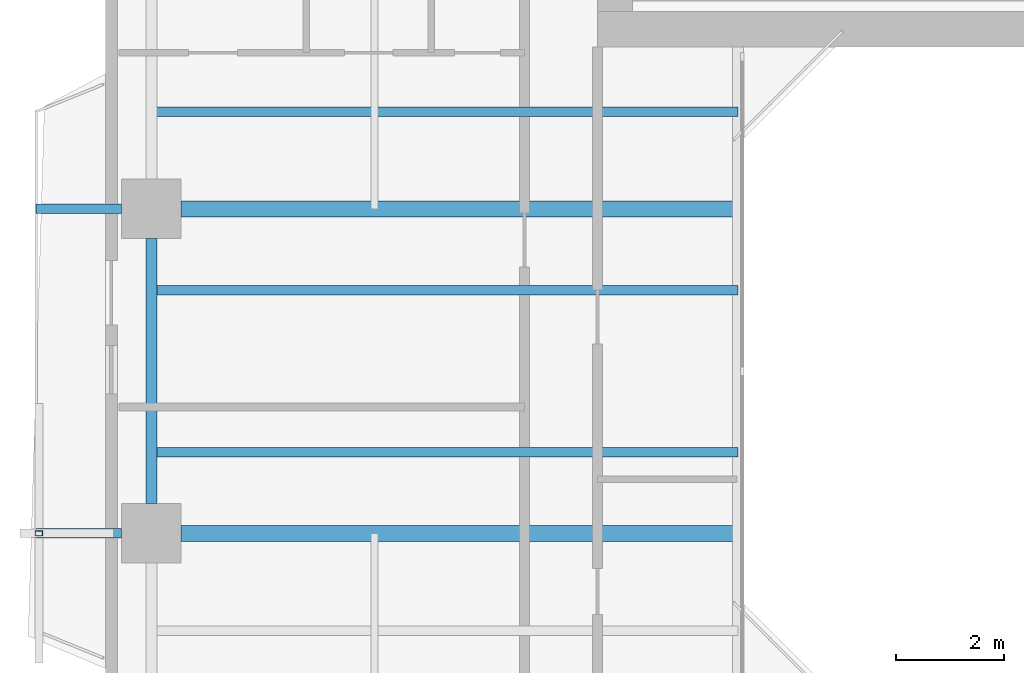
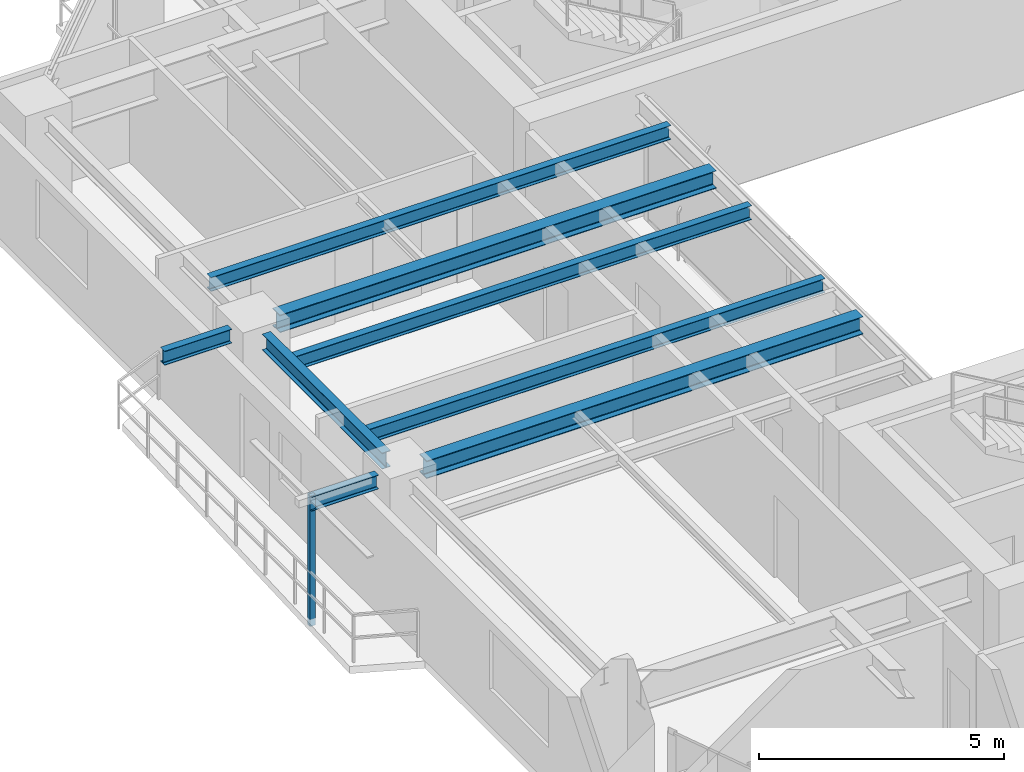
# One storey, part 4 of 17: 8 beams, 1 member.
"""IFC4 building model written with IfcOpenShell, lengths in metres."""

from ifc_helpers import new_model, si_unit, direction, frame, origin, origin_2d, place, context, subcontext, project, spatial, hollow_rectangle, i_section, extrude, source, transform, mapped, material, material_profile, profile_set, type_object, element, save


model = new_model("IFC4")

# Units and contexts
model_context = context("Model", 3, precision=1e-05, world=origin(), true_north=direction((0.0, 1.0)))
body_context = subcontext(model_context, "Body", "Model", "MODEL_VIEW")
ifc_project = project(units=[si_unit("LENGTHUNIT", "METRE"), si_unit("AREAUNIT", "SQUARE_METRE"), si_unit("VOLUMEUNIT", "CUBIC_METRE"), si_unit("PLANEANGLEUNIT", "RADIAN"), si_unit("MASSUNIT", "GRAM", prefix="KILO"), si_unit("THERMODYNAMICTEMPERATUREUNIT", "KELVIN"), si_unit("POWERUNIT", "WATT")], contexts=[model_context])

# Site, building, storey
site_placement = place(None, origin())
site = spatial("IfcSite", under=ifc_project, at=site_placement, CompositionType="ELEMENT")
building_placement = place(site_placement, origin())
building = spatial("IfcBuilding", under=site, at=building_placement, Name="Qiaomeng Ring Towers", CompositionType="ELEMENT")
storey_placement = place(building_placement, frame((0.0, 0.0, 116.5)))
storey = spatial("IfcBuildingStorey", under=building, at=storey_placement, Name="L33", CompositionType="ELEMENT", Elevation=116.5)

# Beams
ifc_material_1 = material(Name="Steel Q355B", Category="steel")
ifc_material_profile_1 = material_profile(ifc_material_1, i_section(OverallWidth=0.199951171875, OverallDepth=0.39990234375, WebThickness=0.008056640625, FlangeThickness=0.012939453125, FilletRadius=0.01611328125, at=origin_2d()), Name="HN 400x200x8x13")
ifc_profile_set_1 = profile_set([ifc_material_profile_1], Name="Steel Q355B")
beam_type_1 = type_object("IfcBeamType", Name="STR-BM-HN400", PredefinedType="SPANDREL", material=ifc_profile_set_1)
shared_shape_1 = source(origin(), body_context, "Body", "SweptSolid", [
    extrude(i_section(OverallWidth=0.199951171875, OverallDepth=0.39990234375, WebThickness=0.008056640625, FlangeThickness=0.012939453125, FilletRadius=0.01611328125, at=origin_2d()), origin(), (0.0, 0.0, 1.0), 4.90185546875),
])
beam_placement = place(storey_placement, frame((1.949951171875, 25.450927734375, 2.8701171875), z_axis=(0.0, -1.0, 0.0), x_axis=(1.0, 0.0, 0.0)))
element("IfcBeam", 1, at=beam_placement, inside=storey, type_object=beam_type_1, Name="L33 beam STR-SP-L33-T1-W3-W2", PredefinedType="SPANDREL", context=body_context, shape_type="MappedRepresentation", body=[
    mapped(shared_shape_1, transform((0.0, 0.0, 0.0), x_axis=(1.0, 0.0, 0.0), y_axis=(0.0, 1.0, 0.0), z_axis=(0.0, 0.0, 1.0), scale=1.0)),
])
ifc_material_profile_2 = material_profile(ifc_material_1, i_section(OverallWidth=0.300048828125, OverallDepth=0.43994140625, WebThickness=0.010986328125, FlangeThickness=0.01806640625, FilletRadius=0.02392578125, at=origin_2d()), Name="HM 440x300x11x18")
ifc_profile_set_2 = profile_set([ifc_material_profile_2], Name="Steel Q355B")
beam_type_2 = type_object("IfcBeamType", Name="STR-BM-HM440", PredefinedType="BEAM", material=ifc_profile_set_2)
shared_shape_2 = source(origin(), body_context, "Body", "SweptSolid", [
    extrude(i_section(OverallWidth=0.300048828125, OverallDepth=0.43994140625, WebThickness=0.010986328125, FlangeThickness=0.01806640625, FilletRadius=0.02392578125, at=origin_2d()), origin(), (0.0, 0.0, 1.0), 10.301025390625),
])
for number, where, z_axis, x_axis, name in (
    (2, (2.4990234375, 20.0, 2.85009765625), (1.0, 0.0, 0.0), (0.0, 1.0, 0.0), "L33 beam STR-BM-L33-T1-RAD-W2"),
    (3, (2.4990234375, 26.0, 2.85009765625), (1.0, 0.0, 0.0), (0.0, 1.0, 0.0), "L33 beam STR-BM-L33-T1-RAD-W3"),
):
    element("IfcBeam", number, at=place(storey_placement, frame(where, z_axis=z_axis, x_axis=x_axis)), inside=storey, type_object=beam_type_2, Name=name, PredefinedType="BEAM", context=body_context, shape_type="MappedRepresentation", body=[
        mapped(shared_shape_2, transform((0.0, 0.0, 0.0), x_axis=(1.0, 0.0, 0.0), y_axis=(0.0, 1.0, 0.0), z_axis=(0.0, 0.0, 1.0), scale=1.0)),
    ])
ifc_material_profile_3 = material_profile(ifc_material_1, i_section(OverallWidth=0.175048828125, OverallDepth=0.35009765625, WebThickness=0.007080078125, FlangeThickness=0.010986328125, FilletRadius=0.013916015625, at=origin_2d()), Name="HN 350x175x7x11")
ifc_profile_set_3 = profile_set([ifc_material_profile_3], Name="Steel Q355B")
beam_type_3 = type_object("IfcBeamType", Name="STR-BM-HN350", PredefinedType="JOIST", material=ifc_profile_set_3)
shared_shape_3 = source(origin(), body_context, "Body", "SweptSolid", [
    extrude(i_section(OverallWidth=0.175048828125, OverallDepth=0.35009765625, WebThickness=0.007080078125, FlangeThickness=0.010986328125, FilletRadius=0.013916015625, at=origin_2d()), origin(), (0.0, 0.0, 1.0), 10.85009765625),
])
for number, where, z_axis, x_axis, name in (
    (4, (1.949951171875, 21.5, 2.89501953125), (1.0, 0.0, 0.0), (0.0, 1.0, 0.0), "L33 beam STR-JST-L33-T1W-2"),
    (5, (1.949951171875, 24.5, 2.89501953125), (1.0, 0.0, 0.0), (0.0, 1.0, 0.0), "L33 beam STR-JST-L33-T1W-3"),
    (6, (1.949951171875, 27.800048828125, 2.89501953125), (1.0, 0.0, 0.0), (0.0, 1.0, 0.0), "L33 beam STR-JST-L33-T1W-4"),
):
    element("IfcBeam", number, at=place(storey_placement, frame(where, z_axis=z_axis, x_axis=x_axis)), inside=storey, type_object=beam_type_3, Name=name, PredefinedType="JOIST", context=body_context, shape_type="MappedRepresentation", body=[
        mapped(shared_shape_3, transform((0.0, 0.0, 0.0), x_axis=(1.0, 0.0, 0.0), y_axis=(0.0, 1.0, 0.0), z_axis=(0.0, 0.0, 1.0), scale=1.0)),
    ])
shared_shape_4 = source(origin(), body_context, "Body", "SweptSolid", [
    extrude(i_section(OverallWidth=0.175048828125, OverallDepth=0.35009765625, WebThickness=0.007080078125, FlangeThickness=0.010986328125, FilletRadius=0.013916015625, at=origin_2d()), origin(), (0.0, 0.0, 1.0), 1.580810546875),
])
for number, where, z_axis, x_axis, name in (
    (7, (-0.179931640625, 20.0, 2.89501953125), (1.0, 0.0, 0.0), (0.0, 1.0, 0.0), "L33 beam STR-BALBM-L33-W2"),
    (8, (-0.179931640625, 26.0, 2.89501953125), (1.0, 0.0, 0.0), (0.0, 1.0, 0.0), "L33 beam STR-BALBM-L33-W3"),
):
    element("IfcBeam", number, at=place(storey_placement, frame(where, z_axis=z_axis, x_axis=x_axis)), inside=storey, type_object=beam_type_3, Name=name, PredefinedType="JOIST", context=body_context, shape_type="MappedRepresentation", body=[
        mapped(shared_shape_4, transform((0.0, 0.0, 0.0), x_axis=(1.0, 0.0, 0.0), y_axis=(0.0, 1.0, 0.0), z_axis=(0.0, 0.0, 1.0), scale=1.0)),
    ])

# Member
ifc_material_2 = material(Name="Stainless steel 316", Category="steel")
ifc_material_profile_4 = material_profile(ifc_material_2, hollow_rectangle(XDim=0.090087890625, YDim=0.139892578125, WallThickness=0.0048828125, at=origin_2d()), Name="SS TRELLIS 90x140")
ifc_profile_set_4 = profile_set([ifc_material_profile_4], Name="Stainless steel 316")
member_type = type_object("IfcMemberType", Name="ARC-TR-POST1", PredefinedType="STUD", material=ifc_profile_set_4)
shared_shape_5 = source(origin(), body_context, "Body", "SweptSolid", [
    extrude(hollow_rectangle(XDim=0.090087890625, YDim=0.139892578125, WallThickness=0.0048828125, at=origin_2d()), origin(), (0.0, 0.0, 1.0), 3.25),
])
member_placement = place(storey_placement, frame((-0.1298828125, 20.0, -0.179931640625), z_axis=(0.0, 0.0, 1.0), x_axis=(0.0, 1.0, 0.0)))
element("IfcMember", 9, at=member_placement, inside=storey, type_object=member_type, Name="L33 Outer Ventilated Trellis Post W", PredefinedType="STUD", context=body_context, shape_type="MappedRepresentation", body=[
    mapped(shared_shape_5, transform((0.0, 0.0, 0.0), x_axis=(1.0, 0.0, 0.0), y_axis=(0.0, 1.0, 0.0), z_axis=(0.0, 0.0, 1.0), scale=1.0)),
])

save(model, "model.ifc")
